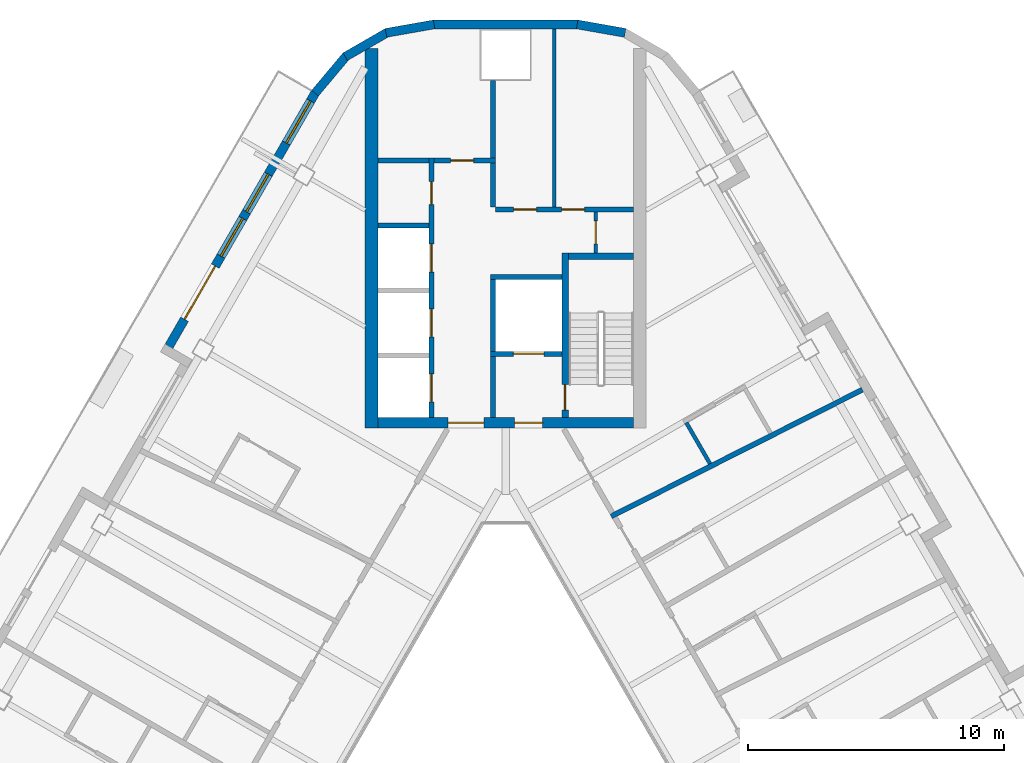
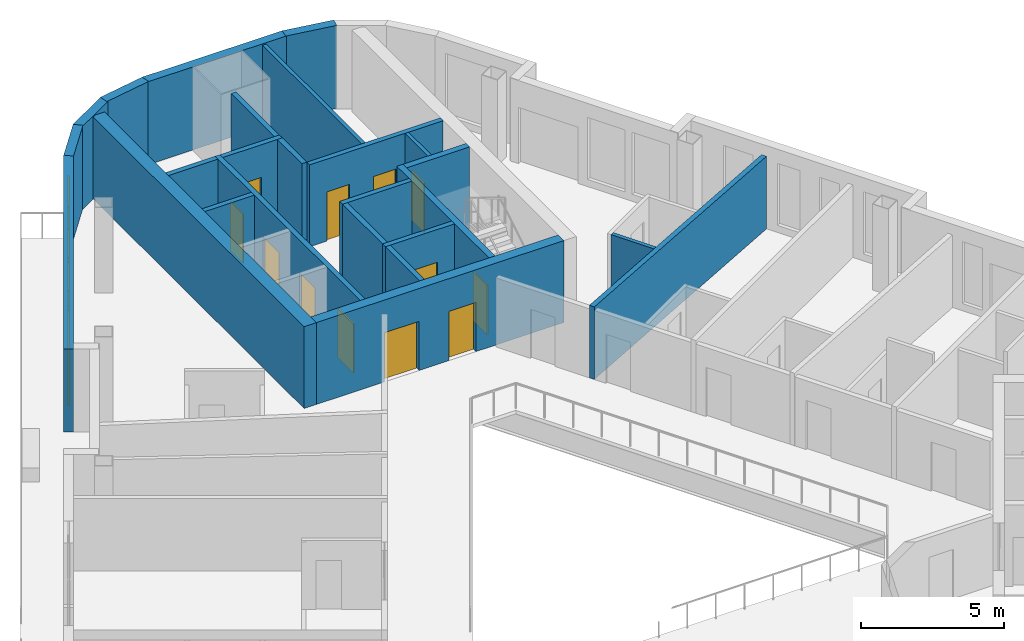
# One storey, part 7 of 14: 25 walls, 13 doors, 3 windows, 16 openings.
"""IFC4 building model written with IfcOpenShell, lengths in metres."""

from ifc_helpers import new_model, si_unit, direction, frame, frame_2d, origin, place, context, subcontext, project, spatial, rectangle, extrude, material, layer, layer_set, type_object, element, fill, save


model = new_model("IFC4")

# Units and contexts
model_context = context("Model", 3, precision=1e-05, world=origin(), true_north=direction((0.0, 1.0)))
body_context = subcontext(model_context, "Body", "Model", "MODEL_VIEW")
ifc_project = project(units=[si_unit("LENGTHUNIT", "METRE"), si_unit("AREAUNIT", "SQUARE_METRE"), si_unit("VOLUMEUNIT", "CUBIC_METRE"), si_unit("PLANEANGLEUNIT", "RADIAN"), si_unit("MASSUNIT", "GRAM", prefix="KILO")], contexts=[model_context])

# Site, building, storey
site_placement = place(None, origin())
site = spatial("IfcSite", under=ifc_project, at=site_placement, CompositionType="ELEMENT")
building_placement = place(site_placement, origin())
building = spatial("IfcBuilding", under=site, at=building_placement, Name="Apuvela Tower Hotel", CompositionType="ELEMENT")
storey_placement = place(building_placement, frame((0.0, 0.0, 250.39990234375)))
storey = spatial("IfcBuildingStorey", under=building, at=storey_placement, Name="L61", CompositionType="ELEMENT", Elevation=250.39990234375)

# Wall, openings, doors
ifc_material_1 = material(Name="Concrete C50/60", Category="concrete")
ifc_layer_1 = layer(ifc_material_1, 0.39990234375)
ifc_layer_set_1 = layer_set([ifc_layer_1], Name="COR-WALL-CORE-400")
wall_type_1 = type_object("IfcWallType", Name="COR-WALL-CORE-400", PredefinedType="SHEAR", material=ifc_layer_set_1)
wall_1_placement = place(storey_placement, frame((5.0, 13.10009765625, 0.0), z_axis=(0.0, 0.0, 1.0), x_axis=(-1.0, 0.0, 0.0)))
wall_1 = element("IfcWall", 1, at=wall_1_placement, inside=storey, type_object=wall_type_1, Name="Core wall N", PredefinedType="SHEAR", context=body_context, shape_type="SweptSolid", body=[
    extrude(rectangle(XDim=10.0, YDim=0.39990234375, at=frame_2d((5.0, 0.0))), origin(), (0.0, 0.0, 1.0), 3.5),
])
opening_1_placement = place(wall_1_placement, frame((3.550048828125, 0.0, 0.0)))
opening_1 = element("IfcOpeningElement", 2, at=opening_1_placement, cuts=wall_1, Name="Opening N-FD", PredefinedType="OPENING", context=body_context, shape_type="SweptSolid", body=[
    extrude(rectangle(XDim=1.10009765625, YDim=2.10009765625, at=frame_2d((0.550048828125, 1.050048828125))), frame((0.0, 0.2099609375, 0.0), z_axis=(0.0, -1.0, 0.0), x_axis=(1.0, 0.0, 0.0)), (0.0, 0.0, 1.0), 0.419921875),
])
opening_2_placement = place(wall_1_placement, frame((5.85009765625, 0.0, 0.0)))
opening_2 = element("IfcOpeningElement", 3, at=opening_2_placement, cuts=wall_1, Name="Opening N-GD", PredefinedType="OPENING", context=body_context, shape_type="SweptSolid", body=[
    extrude(rectangle(XDim=1.39990234375, YDim=2.10009765625, at=frame_2d((0.699951171875, 1.050048828125))), frame((0.0, 0.2099609375, 0.0), z_axis=(0.0, -1.0, 0.0), x_axis=(1.0, 0.0, 0.0)), (0.0, 0.0, 1.0), 0.419921875),
])
ifc_material_2 = material(Name="Steel fire door, powder coated", Category="steel")
door_type_1 = type_object("IfcDoorType", Name="COR-FD-1100", OperationType="NOTDEFINED", PredefinedType="DOOR", material=ifc_material_2)
door_1_placement = place(opening_1_placement, frame((1.10009765625, 0.0, 0.0), z_axis=(0.0, 0.0, 1.0), x_axis=(-1.0, 0.0, 0.0)))
door_1 = element("IfcDoor", 4, at=door_1_placement, inside=storey, type_object=door_type_1, Name="Firefighting lobby door N-FD", OperationType="SINGLE_SWING_LEFT", OverallHeight=2.10009765625, OverallWidth=1.10009765625, PredefinedType="DOOR", context=body_context, shape_type="SweptSolid", body=[
    extrude(rectangle(XDim=1.10009765625, YDim=2.10009765625, at=frame_2d((0.550048828125, 1.050048828125))), frame((0.0, 0.02490234375, 0.0), z_axis=(0.0, -1.0, 0.0), x_axis=(1.0, 0.0, 0.0)), (0.0, 0.0, 1.0), 0.050048828125),
])
fill(opening_1, door_1)
ifc_material_3 = material(Name="Glazed steel fire door", Category="steel")
door_type_2 = type_object("IfcDoorType", Name="COR-GD-1400", OperationType="DOUBLE_DOOR_SINGLE_SWING", PredefinedType="DOOR", material=ifc_material_3)
door_2_placement = place(opening_2_placement, frame((1.39990234375, 0.0, 0.0), z_axis=(0.0, 0.0, 1.0), x_axis=(-1.0, 0.0, 0.0)))
door_2 = element("IfcDoor", 5, at=door_2_placement, inside=storey, type_object=door_type_2, Name="Lift lobby door N-GD", OperationType="DOUBLE_DOOR_SINGLE_SWING", OverallHeight=2.10009765625, OverallWidth=1.39990234375, PredefinedType="DOOR", context=body_context, shape_type="SweptSolid", body=[
    extrude(rectangle(XDim=1.39990234375, YDim=2.10009765625, at=frame_2d((0.699951171875, 1.050048828125))), frame((0.0, 0.02490234375, 0.0), z_axis=(0.0, -1.0, 0.0), x_axis=(1.0, 0.0, 0.0)), (0.0, 0.0, 1.0), 0.050048828125),
])
fill(opening_2, door_2)

# Wall
ifc_layer_2 = layer(ifc_material_1, 0.5)
ifc_layer_set_2 = layer_set([ifc_layer_2], Name="COR-WALL-CORE-500")
wall_type_2 = type_object("IfcWallType", Name="COR-WALL-CORE-500", PredefinedType="SHEAR", material=ifc_layer_set_2)
wall_2_placement = place(storey_placement, frame((-5.25, 12.89990234375, 0.0), z_axis=(0.0, 0.0, 1.0), x_axis=(0.0, 1.0, 0.0)))
element("IfcWall", 6, at=wall_2_placement, inside=storey, type_object=wall_type_2, Name="Core wall N", PredefinedType="SHEAR", context=body_context, shape_type="SweptSolid", body=[
    extrude(rectangle(XDim=14.8369140625, YDim=0.5, at=frame_2d((7.41845703125, 0.0))), origin(), (0.0, 0.0, 1.0), 3.5),
])

# Wall, opening, door
ifc_material_4 = material(Name="Blockwork 150 mm plastered", Category="masonry")
ifc_layer_3 = layer(ifc_material_4, 0.14990234375)
ifc_layer_set_3 = layer_set([ifc_layer_3], Name="COR-WALL-PART-150")
wall_type_3 = type_object("IfcWallType", Name="COR-WALL-PART-150", PredefinedType="PARTITIONING", material=ifc_layer_set_3)
wall_3_placement = place(storey_placement, frame((3.52490234375, 19.75, 0.0), z_axis=(0.0, 0.0, 1.0), x_axis=(0.0, 1.0, 0.0)))
wall_3 = element("IfcWall", 7, at=wall_3_placement, inside=storey, type_object=wall_type_3, Name="Partition N", PredefinedType="PARTITIONING", context=body_context, shape_type="SweptSolid", body=[
    extrude(rectangle(XDim=1.60009765625, YDim=0.14990234375, at=frame_2d((0.800048828125, 0.0))), origin(), (0.0, 0.0, 1.0), 3.5),
])
opening_3_placement = place(wall_3_placement, frame((0.35009765625, 0.0, 0.0)))
opening_3 = element("IfcOpeningElement", 8, at=opening_3_placement, cuts=wall_3, Name="Opening N-RD", PredefinedType="OPENING", context=body_context, shape_type="SweptSolid", body=[
    extrude(rectangle(XDim=0.89990234375, YDim=2.10009765625, at=frame_2d((0.449951171875, 1.050048828125))), frame((0.0, 0.0849609375, 0.0), z_axis=(0.0, -1.0, 0.0), x_axis=(1.0, 0.0, 0.0)), (0.0, 0.0, 1.0), 0.169921875),
])
ifc_material_5 = material(Name="Steel access door, powder coated", Category="steel")
door_type_3 = type_object("IfcDoorType", Name="COR-RD-900", OperationType="NOTDEFINED", PredefinedType="DOOR", material=ifc_material_5)
door_3_placement = place(opening_3_placement, frame((0.89990234375, 0.0, 0.0), z_axis=(0.0, 0.0, 1.0), x_axis=(-1.0, 0.0, 0.0)))
door_3 = element("IfcDoor", 9, at=door_3_placement, inside=storey, type_object=door_type_3, Name="Riser door N-RD", OperationType="SINGLE_SWING_RIGHT", OverallHeight=2.10009765625, OverallWidth=0.89990234375, PredefinedType="DOOR", context=body_context, shape_type="SweptSolid", body=[
    extrude(rectangle(XDim=0.89990234375, YDim=2.10009765625, at=frame_2d((0.449951171875, 1.050048828125))), frame((0.0, 0.02490234375, 0.0), z_axis=(0.0, -1.0, 0.0), x_axis=(1.0, 0.0, 0.0)), (0.0, 0.0, 1.0), 0.050048828125),
])
fill(opening_3, door_3)

# Wall
wall_4_placement = place(storey_placement, frame((1.89990234375, 21.550048828125, 0.0), z_axis=(0.0, 0.0, 1.0), x_axis=(0.0, 1.0, 0.0)))
element("IfcWall", 10, at=wall_4_placement, inside=storey, type_object=wall_type_3, Name="Partition N", PredefinedType="PARTITIONING", context=body_context, shape_type="SweptSolid", body=[
    extrude(rectangle(XDim=6.949951171875, YDim=0.14990234375, at=frame_2d((3.47509765625, 0.0))), origin(), (0.0, 0.0, 1.0), 3.5),
])

# Wall, openings, doors
ifc_material_6 = material(Name="Blockwork 200 mm plastered", Category="masonry")
ifc_layer_4 = layer(ifc_material_6, 0.199951171875)
ifc_layer_set_4 = layer_set([ifc_layer_4], Name="COR-WALL-PART-200")
wall_type_4 = type_object("IfcWallType", Name="COR-WALL-PART-200", PredefinedType="PARTITIONING", material=ifc_layer_set_4)
wall_5_placement = place(storey_placement, frame((5.0, 21.449951171875, 0.0), z_axis=(0.0, 0.0, 1.0), x_axis=(-1.0, 0.0, 0.0)))
wall_5 = element("IfcWall", 11, at=wall_5_placement, inside=storey, type_object=wall_type_4, Name="Partition N", PredefinedType="PARTITIONING", context=body_context, shape_type="SweptSolid", body=[
    extrude(rectangle(XDim=5.39990234375, YDim=0.199951171875, at=frame_2d((2.699951171875, 0.0))), origin(), (0.0, 0.0, 1.0), 3.5),
])
opening_4_placement = place(wall_5_placement, frame((1.91259765625, 0.0, 0.0)))
opening_4 = element("IfcOpeningElement", 12, at=opening_4_placement, cuts=wall_5, Name="Opening N-RS1", PredefinedType="OPENING", context=body_context, shape_type="SweptSolid", body=[
    extrude(rectangle(XDim=0.89990234375, YDim=2.10009765625, at=frame_2d((0.449951171875, 1.050048828125))), frame((0.0, 0.10986328125, 0.0), z_axis=(0.0, -1.0, 0.0), x_axis=(1.0, 0.0, 0.0)), (0.0, 0.0, 1.0), 0.219970703125),
])
opening_5_placement = place(wall_5_placement, frame((3.78759765625, 0.0, 0.0)))
opening_5 = element("IfcOpeningElement", 13, at=opening_5_placement, cuts=wall_5, Name="Opening N-RS2", PredefinedType="OPENING", context=body_context, shape_type="SweptSolid", body=[
    extrude(rectangle(XDim=0.89990234375, YDim=2.10009765625, at=frame_2d((0.449951171875, 1.050048828125))), frame((0.0, 0.10986328125, 0.0), z_axis=(0.0, -1.0, 0.0), x_axis=(1.0, 0.0, 0.0)), (0.0, 0.0, 1.0), 0.219970703125),
])
door_type_4 = type_object("IfcDoorType", Name="COR-DR-900", OperationType="NOTDEFINED", PredefinedType="DOOR", material=ifc_material_2)
door_4_placement = place(opening_4_placement, frame((0.89990234375, 0.0, 0.0), z_axis=(0.0, 0.0, 1.0), x_axis=(-1.0, 0.0, 0.0)))
door_4 = element("IfcDoor", 14, at=door_4_placement, inside=storey, type_object=door_type_4, Name="Store door N-RS1", OperationType="SINGLE_SWING_LEFT", OverallHeight=2.10009765625, OverallWidth=0.89990234375, PredefinedType="DOOR", context=body_context, shape_type="SweptSolid", body=[
    extrude(rectangle(XDim=0.89990234375, YDim=2.10009765625, at=frame_2d((0.449951171875, 1.050048828125))), frame((0.0, 0.02490234375, 0.0), z_axis=(0.0, -1.0, 0.0), x_axis=(1.0, 0.0, 0.0)), (0.0, 0.0, 1.0), 0.050048828125),
])
fill(opening_4, door_4)
door_5_placement = place(opening_5_placement, frame((0.89990234375, 0.0, 0.0), z_axis=(0.0, 0.0, 1.0), x_axis=(-1.0, 0.0, 0.0)))
door_5 = element("IfcDoor", 15, at=door_5_placement, inside=storey, type_object=door_type_4, Name="Store door N-RS2", OperationType="SINGLE_SWING_RIGHT", OverallHeight=2.10009765625, OverallWidth=0.89990234375, PredefinedType="DOOR", context=body_context, shape_type="SweptSolid", body=[
    extrude(rectangle(XDim=0.89990234375, YDim=2.10009765625, at=frame_2d((0.449951171875, 1.050048828125))), frame((0.0, 0.02490234375, 0.0), z_axis=(0.0, -1.0, 0.0), x_axis=(1.0, 0.0, 0.0)), (0.0, 0.0, 1.0), 0.050048828125),
])
fill(opening_5, door_5)

# Wall
ifc_layer_5 = layer(ifc_material_1, 0.199951171875)
ifc_layer_set_5 = layer_set([ifc_layer_5], Name="COR-WALL-SHAFT-200")
wall_type_5 = type_object("IfcWallType", Name="COR-WALL-SHAFT-200", PredefinedType="SHEAR", material=ifc_layer_set_5)
wall_6_placement = place(storey_placement, frame((2.199951171875, 18.800048828125, 0.0), z_axis=(0.0, 0.0, 1.0), x_axis=(-1.0, 0.0, 0.0)))
element("IfcWall", 16, at=wall_6_placement, inside=storey, type_object=wall_type_5, Name="Shaft wall N", PredefinedType="SHEAR", context=body_context, shape_type="SweptSolid", body=[
    extrude(rectangle(XDim=2.800048828125, YDim=0.199951171875, at=frame_2d((1.39990234375, 0.0))), origin(), (0.0, 0.0, 1.0), 3.5),
])

# Wall, opening, door
wall_7_placement = place(storey_placement, frame((2.199951171875, 15.800048828125, 0.0), z_axis=(0.0, 0.0, 1.0), x_axis=(-1.0, 0.0, 0.0)))
wall_7 = element("IfcWall", 17, at=wall_7_placement, inside=storey, type_object=wall_type_5, Name="Shaft wall N", PredefinedType="SHEAR", context=body_context, shape_type="SweptSolid", body=[
    extrude(rectangle(XDim=2.800048828125, YDim=0.199951171875, at=frame_2d((1.39990234375, 0.0))), origin(), (0.0, 0.0, 1.0), 3.5),
])
opening_6_placement = place(wall_7_placement, frame((0.699951171875, 0.0, 0.0)))
opening_6 = element("IfcOpeningElement", 18, at=opening_6_placement, cuts=wall_7, Name="Opening N-LD-FS1", PredefinedType="OPENING", context=body_context, shape_type="SweptSolid", body=[
    extrude(rectangle(XDim=1.199951171875, YDim=2.10009765625, at=frame_2d((0.60009765625, 1.050048828125))), frame((0.0, 0.10986328125, 0.0), z_axis=(0.0, -1.0, 0.0), x_axis=(1.0, 0.0, 0.0)), (0.0, 0.0, 1.0), 0.219970703125),
])
ifc_material_7 = material(Name="Stainless steel lift landing door", Category="steel")
door_type_5 = type_object("IfcDoorType", Name="COR-LD-1200", OperationType="DOUBLE_DOOR_SLIDING", PredefinedType="DOOR", material=ifc_material_7)
door_6_placement = place(opening_6_placement, origin())
door_6 = element("IfcDoor", 19, at=door_6_placement, inside=storey, type_object=door_type_5, Name="Lift landing door N-LD-FS1", OperationType="DOUBLE_DOOR_SLIDING", OverallHeight=2.10009765625, OverallWidth=1.199951171875, PredefinedType="DOOR", context=body_context, shape_type="SweptSolid", body=[
    extrude(rectangle(XDim=1.199951171875, YDim=2.10009765625, at=frame_2d((0.60009765625, 1.050048828125))), frame((0.0, 0.02490234375, 0.0), z_axis=(0.0, -1.0, 0.0), x_axis=(1.0, 0.0, 0.0)), (0.0, 0.0, 1.0), 0.050048828125),
])
fill(opening_6, door_6)

# Walls
wall_8_placement = place(storey_placement, frame((-0.5, 15.89990234375, 0.0), z_axis=(0.0, 0.0, 1.0), x_axis=(0.0, 1.0, 0.0)))
element("IfcWall", 20, at=wall_8_placement, inside=storey, type_object=wall_type_5, Name="Shaft wall N", PredefinedType="SHEAR", context=body_context, shape_type="SweptSolid", body=[
    extrude(rectangle(XDim=2.800048828125, YDim=0.199951171875, at=frame_2d((1.39990234375, 0.0))), origin(), (0.0, 0.0, 1.0), 3.5),
])
wall_9_placement = place(storey_placement, frame((-0.5, 13.300048828125, 0.0), z_axis=(0.0, 0.0, 1.0), x_axis=(0.0, 1.0, 0.0)))
element("IfcWall", 21, at=wall_9_placement, inside=storey, type_object=wall_type_5, Name="Shaft wall N", PredefinedType="SHEAR", context=body_context, shape_type="SweptSolid", body=[
    extrude(rectangle(XDim=2.39990234375, YDim=0.199951171875, at=frame_2d((1.199951171875, 0.0))), origin(), (0.0, 0.0, 1.0), 3.5),
])

# Wall, openings, doors
wall_10_placement = place(storey_placement, frame((-2.89990234375, 13.300048828125, 0.0), z_axis=(0.0, 0.0, 1.0), x_axis=(0.0, 1.0, 0.0)))
wall_10 = element("IfcWall", 22, at=wall_10_placement, inside=storey, type_object=wall_type_5, Name="Shaft wall N", PredefinedType="SHEAR", context=body_context, shape_type="SweptSolid", body=[
    extrude(rectangle(XDim=10.159912109375, YDim=0.199951171875, at=frame_2d((5.080078125, 0.0))), origin(), (0.0, 0.0, 1.0), 3.5),
])
opening_7_placement = place(wall_10_placement, frame((0.6201171875, 0.0, 0.0)))
opening_7 = element("IfcOpeningElement", 23, at=opening_7_placement, cuts=wall_10, Name="Opening N-LD-HR1", PredefinedType="OPENING", context=body_context, shape_type="SweptSolid", body=[
    extrude(rectangle(XDim=1.10009765625, YDim=2.10009765625, at=frame_2d((0.550048828125, 1.050048828125))), frame((0.0, 0.10986328125, 0.0), z_axis=(0.0, -1.0, 0.0), x_axis=(1.0, 0.0, 0.0)), (0.0, 0.0, 1.0), 0.219970703125),
])
opening_8_placement = place(wall_10_placement, frame((3.159912109375, 0.0, 0.0)))
opening_8 = element("IfcOpeningElement", 24, at=opening_8_placement, cuts=wall_10, Name="Opening N-LD-HR2", PredefinedType="OPENING", context=body_context, shape_type="SweptSolid", body=[
    extrude(rectangle(XDim=1.10009765625, YDim=2.10009765625, at=frame_2d((0.550048828125, 1.050048828125))), frame((0.0, 0.10986328125, 0.0), z_axis=(0.0, -1.0, 0.0), x_axis=(1.0, 0.0, 0.0)), (0.0, 0.0, 1.0), 0.219970703125),
])
opening_9_placement = place(wall_10_placement, frame((5.699951171875, 0.0, 0.0)))
opening_9 = element("IfcOpeningElement", 25, at=opening_9_placement, cuts=wall_10, Name="Opening N-LD-HR4", PredefinedType="OPENING", context=body_context, shape_type="SweptSolid", body=[
    extrude(rectangle(XDim=1.10009765625, YDim=2.10009765625, at=frame_2d((0.550048828125, 1.050048828125))), frame((0.0, 0.10986328125, 0.0), z_axis=(0.0, -1.0, 0.0), x_axis=(1.0, 0.0, 0.0)), (0.0, 0.0, 1.0), 0.219970703125),
])
opening_10_placement = place(wall_10_placement, frame((8.340087890625, 0.0, 0.0)))
opening_10 = element("IfcOpeningElement", 26, at=opening_10_placement, cuts=wall_10, Name="Opening N-RE4", PredefinedType="OPENING", context=body_context, shape_type="SweptSolid", body=[
    extrude(rectangle(XDim=0.89990234375, YDim=2.10009765625, at=frame_2d((0.449951171875, 1.050048828125))), frame((0.0, 0.10986328125, 0.0), z_axis=(0.0, -1.0, 0.0), x_axis=(1.0, 0.0, 0.0)), (0.0, 0.0, 1.0), 0.219970703125),
])
door_7_placement = place(opening_10_placement, origin())
door_7 = element("IfcDoor", 27, at=door_7_placement, inside=storey, type_object=door_type_4, Name="Store door N-RE4", OperationType="SINGLE_SWING_LEFT", OverallHeight=2.10009765625, OverallWidth=0.89990234375, PredefinedType="DOOR", context=body_context, shape_type="SweptSolid", body=[
    extrude(rectangle(XDim=0.89990234375, YDim=2.10009765625, at=frame_2d((0.449951171875, 1.050048828125))), frame((0.0, 0.02490234375, 0.0), z_axis=(0.0, -1.0, 0.0), x_axis=(1.0, 0.0, 0.0)), (0.0, 0.0, 1.0), 0.050048828125),
])
fill(opening_10, door_7)
door_type_6 = type_object("IfcDoorType", Name="COR-LD-1100", OperationType="DOUBLE_DOOR_SLIDING", PredefinedType="DOOR", material=ifc_material_7)
door_8_placement = place(opening_7_placement, origin())
door_8 = element("IfcDoor", 28, at=door_8_placement, inside=storey, type_object=door_type_6, Name="Lift landing door N-LD-HR1", OperationType="DOUBLE_DOOR_SLIDING", OverallHeight=2.10009765625, OverallWidth=1.10009765625, PredefinedType="DOOR", context=body_context, shape_type="SweptSolid", body=[
    extrude(rectangle(XDim=1.10009765625, YDim=2.10009765625, at=frame_2d((0.550048828125, 1.050048828125))), frame((0.0, 0.02490234375, 0.0), z_axis=(0.0, -1.0, 0.0), x_axis=(1.0, 0.0, 0.0)), (0.0, 0.0, 1.0), 0.050048828125),
])
fill(opening_7, door_8)
door_9_placement = place(opening_8_placement, origin())
door_9 = element("IfcDoor", 29, at=door_9_placement, inside=storey, type_object=door_type_6, Name="Lift landing door N-LD-HR2", OperationType="DOUBLE_DOOR_SLIDING", OverallHeight=2.10009765625, OverallWidth=1.10009765625, PredefinedType="DOOR", context=body_context, shape_type="SweptSolid", body=[
    extrude(rectangle(XDim=1.10009765625, YDim=2.10009765625, at=frame_2d((0.550048828125, 1.050048828125))), frame((0.0, 0.02490234375, 0.0), z_axis=(0.0, -1.0, 0.0), x_axis=(1.0, 0.0, 0.0)), (0.0, 0.0, 1.0), 0.050048828125),
])
fill(opening_8, door_9)
door_10_placement = place(opening_9_placement, origin())
door_10 = element("IfcDoor", 30, at=door_10_placement, inside=storey, type_object=door_type_6, Name="Lift landing door N-LD-HR4", OperationType="DOUBLE_DOOR_SLIDING", OverallHeight=2.10009765625, OverallWidth=1.10009765625, PredefinedType="DOOR", context=body_context, shape_type="SweptSolid", body=[
    extrude(rectangle(XDim=1.10009765625, YDim=2.10009765625, at=frame_2d((0.550048828125, 1.050048828125))), frame((0.0, 0.02490234375, 0.0), z_axis=(0.0, -1.0, 0.0), x_axis=(1.0, 0.0, 0.0)), (0.0, 0.0, 1.0), 0.050048828125),
])
fill(opening_9, door_10)

# Wall, opening, door
wall_11_placement = place(storey_placement, frame((-0.39990234375, 23.360107421875, 0.0), z_axis=(0.0, 0.0, 1.0), x_axis=(-1.0, 0.0, 0.0)))
wall_11 = element("IfcWall", 31, at=wall_11_placement, inside=storey, type_object=wall_type_5, Name="Shaft wall N", PredefinedType="SHEAR", context=body_context, shape_type="SweptSolid", body=[
    extrude(rectangle(XDim=2.400146484375, YDim=0.199951171875, at=frame_2d((1.2001953125, 0.0))), origin(), (0.0, 0.0, 1.0), 3.5),
])
opening_11_placement = place(wall_11_placement, frame((0.85009765625, 0.0, 0.0)))
opening_11 = element("IfcOpeningElement", 32, at=opening_11_placement, cuts=wall_11, Name="Opening N-REP", PredefinedType="OPENING", context=body_context, shape_type="SweptSolid", body=[
    extrude(rectangle(XDim=0.89990234375, YDim=2.10009765625, at=frame_2d((0.449951171875, 1.050048828125))), frame((0.0, 0.10986328125, 0.0), z_axis=(0.0, -1.0, 0.0), x_axis=(1.0, 0.0, 0.0)), (0.0, 0.0, 1.0), 0.219970703125),
])
door_11_placement = place(opening_11_placement, frame((0.89990234375, 0.0, 0.0), z_axis=(0.0, 0.0, 1.0), x_axis=(-1.0, 0.0, 0.0)))
door_11 = element("IfcDoor", 33, at=door_11_placement, inside=storey, type_object=door_type_4, Name="Store door N-REP", OperationType="SINGLE_SWING_LEFT", OverallHeight=2.10009765625, OverallWidth=0.89990234375, PredefinedType="DOOR", context=body_context, shape_type="SweptSolid", body=[
    extrude(rectangle(XDim=0.89990234375, YDim=2.10009765625, at=frame_2d((0.449951171875, 1.050048828125))), frame((0.0, 0.02490234375, 0.0), z_axis=(0.0, -1.0, 0.0), x_axis=(1.0, 0.0, 0.0)), (0.0, 0.0, 1.0), 0.050048828125),
])
fill(opening_11, door_11)

# Walls
wall_12_placement = place(storey_placement, frame((-0.5, 21.550048828125, 0.0), z_axis=(0.0, 0.0, 1.0), x_axis=(0.0, 1.0, 0.0)))
element("IfcWall", 34, at=wall_12_placement, inside=storey, type_object=wall_type_5, Name="Shaft wall N", PredefinedType="SHEAR", context=body_context, shape_type="SweptSolid", body=[
    extrude(rectangle(XDim=1.7099609375, YDim=0.199951171875, at=frame_2d((0.85498046875, 0.0))), origin(), (0.0, 0.0, 1.0), 3.5),
])
for number, where, z_axis, x_axis, name in (
    (35, (-3.0, 20.820068359375, 0.0), (0.0, 0.0, 1.0), (-1.0, 0.0, 0.0), "Shaft wall N"),
    (36, (-3.0, 23.360107421875, 0.0), (0.0, 0.0, 1.0), (-1.0, 0.0, 0.0), "Shaft wall N"),
):
    element("IfcWall", number, at=place(storey_placement, frame(where, z_axis=z_axis, x_axis=x_axis)), inside=storey, type_object=wall_type_5, Name=name, PredefinedType="SHEAR", context=body_context, shape_type="SweptSolid", body=[
        extrude(rectangle(XDim=2.0, YDim=0.199951171875, at=frame_2d((1.0, 0.0))), origin(), (0.0, 0.0, 1.0), 3.5),
    ])
wall_13_placement = place(storey_placement, frame((-0.5, 23.4599609375, 0.0), z_axis=(0.0, 0.0, 1.0), x_axis=(0.0, 1.0, 0.0)))
element("IfcWall", 37, at=wall_13_placement, inside=storey, type_object=wall_type_5, Name="Shaft wall N", PredefinedType="SHEAR", context=body_context, shape_type="SweptSolid", body=[
    extrude(rectangle(XDim=3.0400390625, YDim=0.199951171875, at=frame_2d((1.52001953125, 0.0))), origin(), (0.0, 0.0, 1.0), 3.5),
])

# Wall, opening, door
ifc_layer_6 = layer(ifc_material_1, 0.25)
ifc_layer_set_6 = layer_set([ifc_layer_6], Name="COR-WALL-STAIR-250")
wall_type_6 = type_object("IfcWallType", Name="COR-WALL-STAIR-250", PredefinedType="SHEAR", material=ifc_layer_set_6)
wall_14_placement = place(storey_placement, frame((2.324951171875, 13.300048828125, 0.0), z_axis=(0.0, 0.0, 1.0), x_axis=(0.0, 1.0, 0.0)))
wall_14 = element("IfcWall", 38, at=wall_14_placement, inside=storey, type_object=wall_type_6, Name="Stair wall N", PredefinedType="SHEAR", context=body_context, shape_type="SweptSolid", body=[
    extrude(rectangle(XDim=6.449951171875, YDim=0.25, at=frame_2d((3.22509765625, 0.0))), origin(), (0.0, 0.0, 1.0), 3.5),
])
opening_12_placement = place(wall_14_placement, frame((0.300048828125, 0.0, 0.0)))
opening_12 = element("IfcOpeningElement", 39, at=opening_12_placement, cuts=wall_14, Name="Opening N-SD", PredefinedType="OPENING", context=body_context, shape_type="SweptSolid", body=[
    extrude(rectangle(XDim=1.0, YDim=2.10009765625, at=frame_2d((0.5, 1.050048828125))), frame((0.0, 0.135009765625, 0.0), z_axis=(0.0, -1.0, 0.0), x_axis=(1.0, 0.0, 0.0)), (0.0, 0.0, 1.0), 0.27001953125),
])
door_type_7 = type_object("IfcDoorType", Name="COR-SD-1000", OperationType="NOTDEFINED", PredefinedType="DOOR", material=ifc_material_2)
door_12_placement = place(opening_12_placement, frame((1.0, 0.0, 0.0), z_axis=(0.0, 0.0, 1.0), x_axis=(-1.0, 0.0, 0.0)))
door_12 = element("IfcDoor", 40, at=door_12_placement, inside=storey, type_object=door_type_7, Name="Stair door N-SD", OperationType="SINGLE_SWING_LEFT", OverallHeight=2.10009765625, OverallWidth=1.0, PredefinedType="DOOR", context=body_context, shape_type="SweptSolid", body=[
    extrude(rectangle(XDim=1.0, YDim=2.10009765625, at=frame_2d((0.5, 1.050048828125))), frame((0.0, 0.02490234375, 0.0), z_axis=(0.0, -1.0, 0.0), x_axis=(1.0, 0.0, 0.0)), (0.0, 0.0, 1.0), 0.050048828125),
])
fill(opening_12, door_12)

# Wall
wall_15_placement = place(storey_placement, frame((5.0, 19.625, 0.0), z_axis=(0.0, 0.0, 1.0), x_axis=(-1.0, 0.0, 0.0)))
element("IfcWall", 41, at=wall_15_placement, inside=storey, type_object=wall_type_6, Name="Stair wall N", PredefinedType="SHEAR", context=body_context, shape_type="SweptSolid", body=[
    extrude(rectangle(XDim=2.550048828125, YDim=0.25, at=frame_2d((1.27490234375, 0.0))), origin(), (0.0, 0.0, 1.0), 3.5),
])

# Wall, openings, door, windows
ifc_material_8 = material(Name="Concrete C40/50, dark pigmented precast panel", Category="concrete")
ifc_layer_7 = layer(ifc_material_8, 0.35009765625)
ifc_layer_set_7 = layer_set([ifc_layer_7], Name="ENV-WALL-350")
wall_type_7 = type_object("IfcWallType", Name="ENV-WALL-350", PredefinedType="SOLIDWALL", material=ifc_layer_set_7)
wall_16_placement = place(storey_placement, frame((-7.440673828125, 26.0224609375, 0.0), z_axis=(0.0, 0.0, 1.0), x_axis=(-0.499992533062, -0.86602971478, 0.0)))
wall_16 = element("IfcWall", 42, at=wall_16_placement, inside=storey, type_object=wall_type_7, Name="External wall L61-01", PredefinedType="SOLIDWALL", context=body_context, shape_type="SweptSolid", body=[
    extrude(rectangle(XDim=11.815673828125, YDim=0.35009765625, at=frame_2d((5.90771484375, 0.0))), origin(), (0.0, 0.0, 1.0), 3.550048828125),
])
opening_13_placement = place(wall_16_placement, frame((0.381103515625, 0.0, 0.300048828125)))
opening_13 = element("IfcOpeningElement", 43, at=opening_13_placement, cuts=wall_16, Name="Opening WN19", PredefinedType="OPENING", context=body_context, shape_type="SweptSolid", body=[
    extrude(rectangle(XDim=1.89990234375, YDim=2.64990234375, at=frame_2d((0.949951171875, 1.324951171875))), frame((0.0, 0.18505859375, 0.0), z_axis=(0.0, -1.0, 0.0), x_axis=(1.0, 0.0, 0.0)), (0.0, 0.0, 1.0), 0.3701171875),
])
opening_14_placement = place(wall_16_placement, frame((7.8408203125, 0.0, 0.0)))
opening_14 = element("IfcOpeningElement", 44, at=opening_14_placement, cuts=wall_16, Name="Opening BD24", PredefinedType="OPENING", context=body_context, shape_type="SweptSolid", body=[
    extrude(rectangle(XDim=2.39990234375, YDim=2.39990234375, at=frame_2d((1.199951171875, 1.199951171875))), frame((0.0, 0.18505859375, 0.0), z_axis=(0.0, -1.0, 0.0), x_axis=(1.0, 0.0, 0.0)), (0.0, 0.0, 1.0), 0.3701171875),
])
opening_15_placement = place(wall_16_placement, frame((3.690185546875, 0.0, 0.300048828125)))
opening_15 = element("IfcOpeningElement", 45, at=opening_15_placement, cuts=wall_16, Name="Opening WN17", PredefinedType="OPENING", context=body_context, shape_type="SweptSolid", body=[
    extrude(rectangle(XDim=1.699951171875, YDim=2.64990234375, at=frame_2d((0.85009765625, 1.324951171875))), frame((0.0, 0.18505859375, 0.0), z_axis=(0.0, -1.0, 0.0), x_axis=(1.0, 0.0, 0.0)), (0.0, 0.0, 1.0), 0.3701171875),
])
opening_16_placement = place(wall_16_placement, frame((5.690185546875, 0.0, 0.300048828125)))
opening_16 = element("IfcOpeningElement", 46, at=opening_16_placement, cuts=wall_16, Name="Opening WN17", PredefinedType="OPENING", context=body_context, shape_type="SweptSolid", body=[
    extrude(rectangle(XDim=1.699951171875, YDim=2.64990234375, at=frame_2d((0.85009765625, 1.324951171875))), frame((0.0, 0.18505859375, 0.0), z_axis=(0.0, -1.0, 0.0), x_axis=(1.0, 0.0, 0.0)), (0.0, 0.0, 1.0), 0.3701171875),
])
ifc_material_9 = material(Name="Aluminium 6063-T6, dark bronze anodised frame with dark tinted laminated glass", Category="aluminium")
door_type_8 = type_object("IfcDoorType", Name="ENV-DOOR-BALCONY-2400x2400", OperationType="SLIDING_TO_LEFT", PredefinedType="DOOR", material=ifc_material_9)
door_13_placement = place(opening_14_placement, frame((2.39990234375, 0.0, 0.0), z_axis=(0.0, 0.0, 1.0), x_axis=(-1.0, 0.0, 0.0)))
door_13 = element("IfcDoor", 47, at=door_13_placement, inside=storey, type_object=door_type_8, Name="Balcony door BD24", OperationType="SLIDING_TO_LEFT", OverallHeight=2.39990234375, OverallWidth=2.39990234375, PredefinedType="DOOR", context=body_context, shape_type="SweptSolid", body=[
    extrude(rectangle(XDim=2.39990234375, YDim=2.39990234375, at=frame_2d((1.199951171875, 1.199951171875))), frame((0.0, 0.02490234375, 0.0), z_axis=(0.0, -1.0, 0.0), x_axis=(1.0, 0.0, 0.0)), (0.0, 0.0, 1.0), 0.050048828125),
])
fill(opening_14, door_13)
ifc_material_10 = material(Name="Glass, dark tinted laminated insulated glazing unit", Category="glass")
window_type_1 = type_object("IfcWindowType", Name="ENV-WIN-1700x2650", PartitioningType="SINGLE_PANEL", PredefinedType="WINDOW", material=ifc_material_10)
window_1_placement = place(opening_15_placement, origin())
window_1 = element("IfcWindow", 48, at=window_1_placement, inside=storey, type_object=window_type_1, Name="Window WN17", OverallHeight=2.64990234375, OverallWidth=1.699951171875, PartitioningType="SINGLE_PANEL", PredefinedType="WINDOW", context=body_context, shape_type="SweptSolid", body=[
    extrude(rectangle(XDim=1.699951171875, YDim=2.64990234375, at=frame_2d((0.85009765625, 1.324951171875))), frame((0.0, 0.030029296875, 0.0), z_axis=(0.0, -1.0, 0.0), x_axis=(1.0, 0.0, 0.0)), (0.0, 0.0, 1.0), 0.06005859375),
])
fill(opening_15, window_1)
window_2_placement = place(opening_16_placement, origin())
window_2 = element("IfcWindow", 49, at=window_2_placement, inside=storey, type_object=window_type_1, Name="Window WN17", OverallHeight=2.64990234375, OverallWidth=1.699951171875, PartitioningType="SINGLE_PANEL", PredefinedType="WINDOW", context=body_context, shape_type="SweptSolid", body=[
    extrude(rectangle(XDim=1.699951171875, YDim=2.64990234375, at=frame_2d((0.85009765625, 1.324951171875))), frame((0.0, 0.030029296875, 0.0), z_axis=(0.0, -1.0, 0.0), x_axis=(1.0, 0.0, 0.0)), (0.0, 0.0, 1.0), 0.06005859375),
])
fill(opening_16, window_2)
window_type_2 = type_object("IfcWindowType", Name="ENV-WIN-1900x2650", PartitioningType="SINGLE_PANEL", PredefinedType="WINDOW", material=ifc_material_10)
window_3_placement = place(opening_13_placement, origin())
window_3 = element("IfcWindow", 50, at=window_3_placement, inside=storey, type_object=window_type_2, Name="Window WN19", OverallHeight=2.64990234375, OverallWidth=1.89990234375, PartitioningType="SINGLE_PANEL", PredefinedType="WINDOW", context=body_context, shape_type="SweptSolid", body=[
    extrude(rectangle(XDim=1.89990234375, YDim=2.64990234375, at=frame_2d((0.949951171875, 1.324951171875))), frame((0.0, 0.030029296875, 0.0), z_axis=(0.0, -1.0, 0.0), x_axis=(1.0, 0.0, 0.0)), (0.0, 0.0, 1.0), 0.06005859375),
])
fill(opening_13, window_3)

# Walls
wall_17_placement = place(storey_placement, frame((4.6796875, 28.35595703125, 0.0), z_axis=(0.0, 0.0, 1.0), x_axis=(-0.984798995425, 0.173697837091, 0.0)))
element("IfcWall", 51, at=wall_17_placement, inside=storey, type_object=wall_type_7, Name="External wall L61-44", PredefinedType="SOLIDWALL", context=body_context, shape_type="SweptSolid", body=[
    extrude(rectangle(XDim=1.91015625, YDim=0.35009765625, at=frame_2d((0.955078125, 0.0))), origin(), (0.0, 0.0, 1.0), 3.550048828125),
])
wall_18_placement = place(storey_placement, frame((2.8291015625, 28.68505859375, 0.0), z_axis=(0.0, 0.0, 1.0), x_axis=(-1.0, 0.0, 0.0)))
element("IfcWall", 52, at=wall_18_placement, inside=storey, type_object=wall_type_7, Name="External wall L61-45", PredefinedType="SOLIDWALL", context=body_context, shape_type="SweptSolid", body=[
    extrude(rectangle(XDim=5.658203125, YDim=0.35009765625, at=frame_2d((2.8291015625, 0.0))), origin(), (0.0, 0.0, 1.0), 3.550048828125),
])
for number, where, z_axis, x_axis, name in (
    (53, (-2.798583984375, 28.687744140625, 0.0), (0.0, 0.0, 1.0), (-0.984798995425, -0.173697837091, 0.0), "External wall L61-46"),
    (54, (-4.62255859375, 28.376708984375, 0.0), (0.0, 0.0, 1.0), (-0.866032345022, -0.499987977232, 0.0), "External wall L61-47"),
):
    element("IfcWall", number, at=place(storey_placement, frame(where, z_axis=z_axis, x_axis=x_axis)), inside=storey, type_object=wall_type_7, Name=name, PredefinedType="SOLIDWALL", context=body_context, shape_type="SweptSolid", body=[
        extrude(rectangle(XDim=1.91015625, YDim=0.35009765625, at=frame_2d((0.955078125, 0.0))), origin(), (0.0, 0.0, 1.0), 3.550048828125),
    ])
wall_19_placement = place(storey_placement, frame((-6.230224609375, 27.460693359375, 0.0), z_axis=(0.0, 0.0, 1.0), x_axis=(-0.642808304945, -0.766027077259, 0.0)))
element("IfcWall", 55, at=wall_19_placement, inside=storey, type_object=wall_type_7, Name="External wall L61-48", PredefinedType="SOLIDWALL", context=body_context, shape_type="SweptSolid", body=[
    extrude(rectangle(XDim=1.909912109375, YDim=0.35009765625, at=frame_2d((0.955078125, 0.0))), origin(), (0.0, 0.0, 1.0), 3.550048828125),
])
ifc_material_11 = material(Name="Gypsum board partition on twin steel stud", Category="steel")
ifc_layer_8 = layer(ifc_material_11, 0.199951171875)
ifc_layer_set_8 = layer_set([ifc_layer_8], Name="GST-PW1")
wall_type_8 = type_object("IfcWallType", Name="GST-PW1", PredefinedType="PARTITIONING", material=ifc_layer_set_8)
wall_20_placement = place(storey_placement, frame((13.951904296875, 14.39453125, 0.0), z_axis=(0.0, 0.0, 1.0), x_axis=(-0.892890171934, -0.450274517226, 0.0)))
element("IfcWall", 56, at=wall_20_placement, inside=storey, type_object=wall_type_8, Name="L61 partition 07", PredefinedType="PARTITIONING", context=body_context, shape_type="SweptSolid", body=[
    extrude(rectangle(XDim=10.99755859375, YDim=0.199951171875, at=frame_2d((5.498779296875, 0.0))), origin(), (0.0, 0.0, 1.0), 3.10009765625),
])
ifc_material_12 = material(Name="Moisture-resistant gypsum board wet wall on steel stud", Category="steel")
ifc_layer_9 = layer(ifc_material_12, 0.14990234375)
ifc_layer_set_9 = layer_set([ifc_layer_9], Name="GST-PW3")
wall_type_9 = type_object("IfcWallType", Name="GST-PW3", PredefinedType="PARTITIONING", material=ifc_layer_set_9)
wall_21_placement = place(storey_placement, frame((7.994873046875, 11.50244140625, 0.0), z_axis=(0.0, 0.0, 1.0), x_axis=(-0.4999770169, 0.866038672677, 0.0)))
element("IfcWall", 57, at=wall_21_placement, inside=storey, type_object=wall_type_9, Name="L61 partition 37", PredefinedType="PARTITIONING", context=body_context, shape_type="SweptSolid", body=[
    extrude(rectangle(XDim=1.85400390625, YDim=0.14990234375, at=frame_2d((0.927001953125, 0.0))), origin(), (0.0, 0.0, 1.0), 2.9501953125),
])

save(model, "model.ifc")
